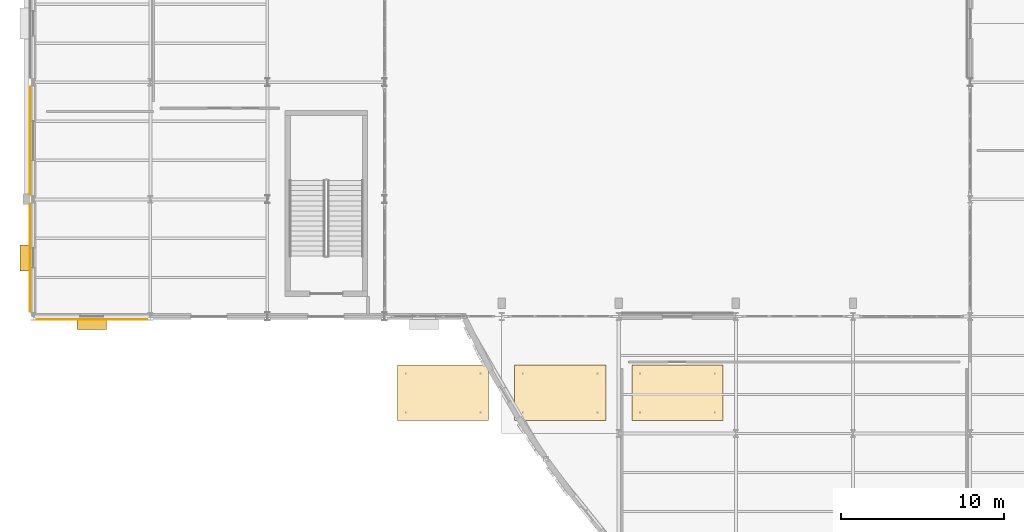
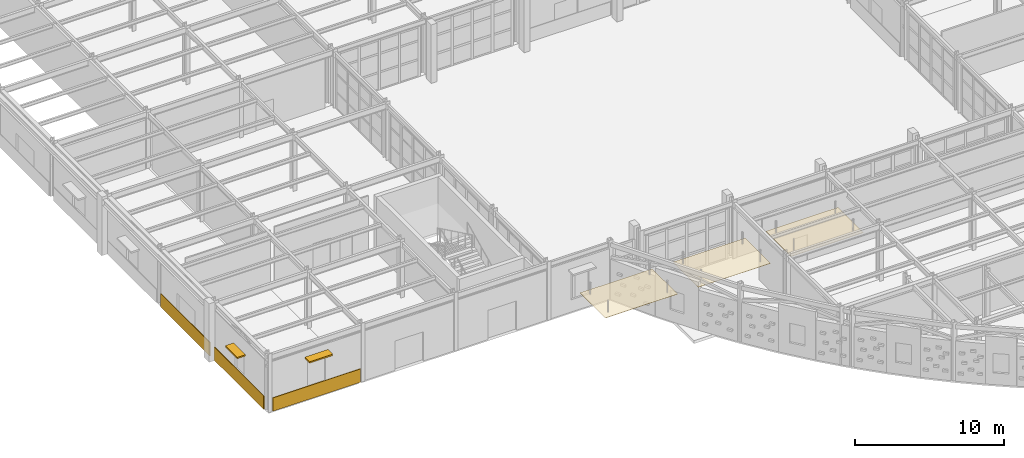
# One storey, part 70 of 83: 6 coverings, 2 shading devices.
"""IFC4 building model written with IfcOpenShell, lengths in metres."""

from ifc_helpers import new_model, si_unit, direction, frame, origin, origin_2d, place, context, subcontext, project, spatial, polyline, rectangle, outline, extrude, material, layer, layer_set, type_object, element, save


model = new_model("IFC4")

# Units and contexts
model_context = context("Model", 3, precision=1e-05, world=origin(), true_north=direction((0.0, 1.0)))
body_context = subcontext(model_context, "Body", "Model", "MODEL_VIEW")
ifc_project = project(units=[si_unit("LENGTHUNIT", "METRE"), si_unit("AREAUNIT", "SQUARE_METRE"), si_unit("VOLUMEUNIT", "CUBIC_METRE"), si_unit("PLANEANGLEUNIT", "RADIAN"), si_unit("MASSUNIT", "GRAM", prefix="KILO")], contexts=[model_context])

# Site, building, storey
site_placement = place(None, origin())
site = spatial("IfcSite", under=ifc_project, at=site_placement, CompositionType="ELEMENT")
building_placement = place(site_placement, origin())
building = spatial("IfcBuilding", under=site, at=building_placement, Name="Solvadek Multi-Sports Hall", CompositionType="ELEMENT")
storey_placement = place(building_placement, origin())
storey = spatial("IfcBuildingStorey", under=building, at=storey_placement, Name="L00", CompositionType="ELEMENT", Elevation=0.0)

# Coverings
ifc_material_1 = material(Name="Dressed honey-cream limestone ashlar", Category="masonry")
ifc_layer_1 = layer(ifc_material_1, 0.044921875, Name="Dressed honey-cream limestone ashlar")
ifc_layer_set_1 = layer_set([ifc_layer_1], Name="Dressed honey-cream limestone ashlar")
covering_type_1 = type_object("IfcCoveringType", Name="ENV-COV-CLAD45", PredefinedType="CLADDING", material=ifc_layer_set_1)
for number, where, z_axis, x_axis, name in (
    (1, (-0.197021484375, 24.0, 0.0), (0.0, 0.0, 1.0), (0.0, 1.0, 0.0), "Deccan Granite Plinth Cladding #1"),
    (2, (-0.197021484375, 31.199951171875, 0.0), (0.0, 0.0, 1.0), (0.0, 1.0, 0.0), "Deccan Granite Plinth Cladding #2"),
):
    element("IfcCovering", number, at=place(storey_placement, frame(where, z_axis=z_axis, x_axis=x_axis)), inside=storey, type_object=covering_type_1, Name=name, PredefinedType="CLADDING", context=body_context, shape_type="SweptSolid", body=[
        extrude(rectangle(XDim=6.64208984375, YDim=0.044921875, at=origin_2d()), origin(), (0.0, 0.0, 1.0), 1.10009765625),
    ])
covering_1_placement = place(storey_placement, frame((3.60009765625, 20.202880859375, 0.0), z_axis=(0.0, 0.0, 1.0), x_axis=(1.0, 0.0, 0.0)))
element("IfcCovering", 3, at=covering_1_placement, inside=storey, type_object=covering_type_1, Name="Deccan Granite Plinth Cladding #20", PredefinedType="CLADDING", context=body_context, shape_type="SweptSolid", body=[
    extrude(rectangle(XDim=6.7919921875, YDim=0.044921875, at=origin_2d()), origin(), (0.0, 0.0, 1.0), 1.10009765625),
])

# Shading devices
ifc_material_2 = material(Name="Perforated champagne-bronze anodised aluminium", Category="aluminium")
shading_device_type = type_object("IfcShadingDeviceType", Name="ENV-SHD-CHAJJA2", PredefinedType="JALOUSIE", material=ifc_material_2)
shading_device_1_placement = place(storey_placement, frame((-0.494384765625, 24.0, 2.81982421875), z_axis=(0.0, 0.0, 1.0), x_axis=(0.0, 1.0, 0.0)))
element("IfcShadingDevice", 4, at=shading_device_1_placement, inside=storey, type_object=shading_device_type, Name="L00 Chajja Solar Shading Hood #1", PredefinedType="JALOUSIE", context=body_context, shape_type="SweptSolid", body=[
    extrude(rectangle(XDim=1.60009765625, YDim=0.639892578125, at=origin_2d()), origin(), (0.0, 0.0, 1.0), 0.1201171875),
])
shading_device_2_placement = place(storey_placement, frame((3.60009765625, 19.905517578125, 3.419921875), z_axis=(0.0, 0.0, 1.0), x_axis=(1.0, 0.0, 0.0)))
element("IfcShadingDevice", 5, at=shading_device_2_placement, inside=storey, type_object=shading_device_type, Name="L00 Chajja Solar Shading Hood #47", PredefinedType="JALOUSIE", context=body_context, shape_type="SweptSolid", body=[
    extrude(rectangle(XDim=1.800048828125, YDim=0.639892578125, at=origin_2d()), origin(), (0.0, 0.0, 1.0), 0.1201171875),
])

# Coverings
ifc_material_3 = material(Name="Acoustic mineral-wool ceiling tile")
ifc_layer_2 = layer(ifc_material_3, 0.02490234375, Name="Acoustic mineral-wool ceiling tile")
ifc_layer_set_2 = layer_set([ifc_layer_2], Name="Acoustic mineral-wool ceiling tile")
covering_type_2 = type_object("IfcCoveringType", Name="INT-COV-CEIL", PredefinedType="CEILING", material=ifc_layer_set_2)
covering_2_placement = place(storey_placement, frame((0.0, 0.0, 3.60009765625)))
element("IfcCovering", 6, at=covering_2_placement, inside=storey, type_object=covering_type_2, Name="L00 Acoustic Suspended Ceiling Raft #1", PredefinedType="CEILING", context=body_context, shape_type="SweptSolid", body=[
    extrude(outline(polyline([(22.39990234375, 14.0), (28.0, 14.0), (28.0, 17.39990234375), (22.39990234375, 17.39990234375), (22.39990234375, 14.0)])), origin(), (0.0, 0.0, 1.0), 0.02490234375),
])
covering_3_placement = place(storey_placement, frame((0.0, 0.0, 3.60009765625)))
element("IfcCovering", 7, at=covering_3_placement, inside=storey, type_object=covering_type_2, Name="L00 Acoustic Suspended Ceiling Raft #2", PredefinedType="CEILING", context=body_context, shape_type="SweptSolid", body=[
    extrude(outline(polyline([(29.60009765625, 14.0), (35.199951171875, 14.0), (35.199951171875, 17.39990234375), (29.60009765625, 17.39990234375), (29.60009765625, 14.0)])), origin(), (0.0, 0.0, 1.0), 0.02490234375),
])
covering_4_placement = place(storey_placement, frame((0.0, 0.0, 3.60009765625)))
element("IfcCovering", 8, at=covering_4_placement, inside=storey, type_object=covering_type_2, Name="L00 Acoustic Suspended Ceiling Raft #3", PredefinedType="CEILING", context=body_context, shape_type="SweptSolid", body=[
    extrude(outline(polyline([(36.800048828125, 14.0), (42.39990234375, 14.0), (42.39990234375, 17.39990234375), (36.800048828125, 17.39990234375), (36.800048828125, 14.0)])), origin(), (0.0, 0.0, 1.0), 0.02490234375),
])

save(model, "model.ifc")
